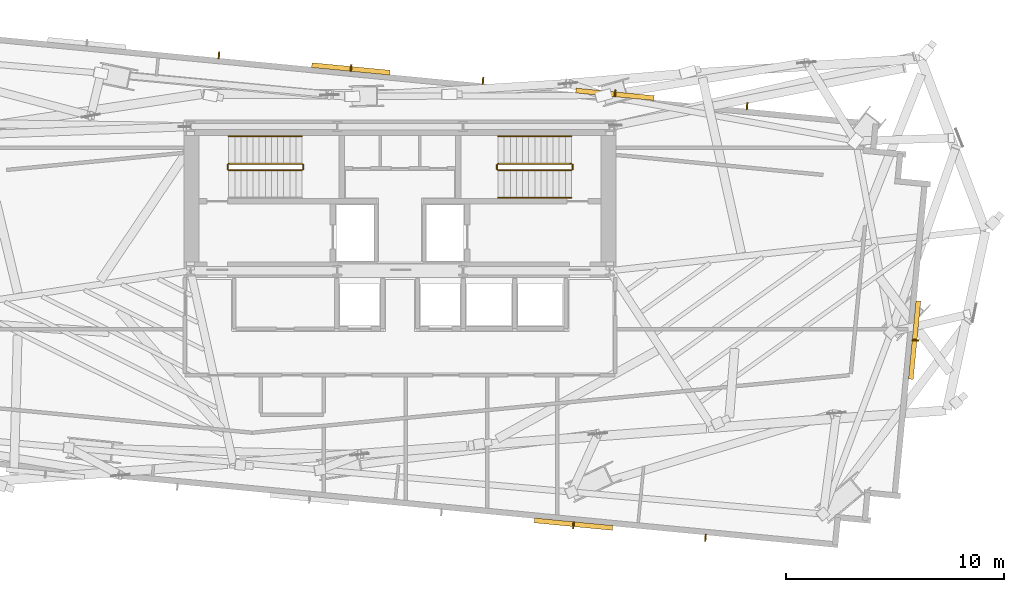
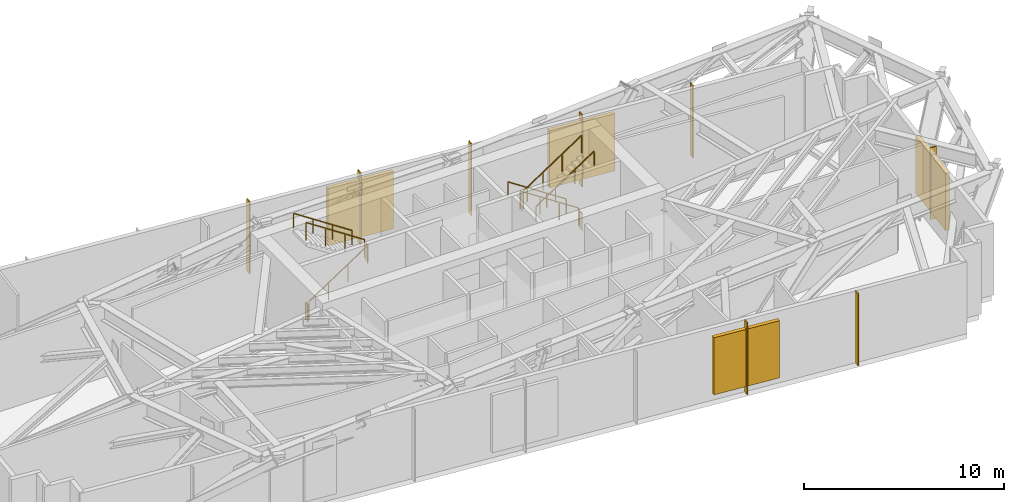
# One storey, part 10 of 10: 12 shading devices, 11 railings.
"""IFC4 building model written with IfcOpenShell, lengths in metres."""

from ifc_helpers import new_model, si_unit, direction, frame, origin, origin_2d, place, context, subcontext, project, spatial, rectangle, extrude, source, transform, mapped, material, type_object, type_shapes, element, save


model = new_model("IFC4")

# Units and contexts
model_context = context("Model", 3, precision=1e-05, world=origin(), true_north=direction((0.0, 1.0)))
body_context = subcontext(model_context, "Body", "Model", "MODEL_VIEW")
ifc_project = project(units=[si_unit("LENGTHUNIT", "METRE"), si_unit("AREAUNIT", "SQUARE_METRE"), si_unit("VOLUMEUNIT", "CUBIC_METRE"), si_unit("PLANEANGLEUNIT", "RADIAN"), si_unit("MASSUNIT", "GRAM", prefix="KILO")], contexts=[model_context])

# Site, building, storey
site_placement = place(None, origin())
site = spatial("IfcSite", under=ifc_project, at=site_placement, CompositionType="ELEMENT")
building_placement = place(site_placement, origin())
building = spatial("IfcBuilding", under=site, at=building_placement, Name="Astriad Promenade Condominiums", CompositionType="ELEMENT")
storey_placement = place(building_placement, frame((0.0, 0.0, 163.0)))
storey = spatial("IfcBuildingStorey", under=building, at=storey_placement, Name="L47", CompositionType="ELEMENT", Elevation=163.0)

# Shading devices
ifc_material_1 = material(Name="Anodised aluminium 6063-T6 Black Louvre", Category="aluminium")
shading_device_type_1 = type_object("IfcShadingDeviceType", Name="LOUVRE-ACOUSTIC-220", PredefinedType="JALOUSIE", material=ifc_material_1)
shared_shape_1 = source(origin(), body_context, "Body", "SweptSolid", [
    extrude(rectangle(XDim=3.60009765625, YDim=0.219970703125, at=origin_2d()), origin(), (0.0, 0.0, 1.0), 3.47998046875),
])
type_shapes(shading_device_type_1, [shared_shape_1])
for number, where, z_axis, x_axis, name in (
    (1, (33.747802734375, 26.644287109375, 0.449951171875), (0.0, 0.0, 1.0), (0.995396198367, -0.09584575252, 0.0), "LVR-L47-N-2"),
    (2, (45.841796875, 25.47998046875, 0.449951171875), (0.0, 0.0, 1.0), (0.995396198367, -0.09584575252, 0.0), "LVR-L47-N-3"),
    (3, (59.566162109375, 14.22265625, 0.449951171875), (0.0, 0.0, 1.0), (-0.09584575252, -0.995396198367, 0.0), "LVR-L47-E-1"),
    (4, (43.9462890625, 5.791015625, 0.449951171875), (0.0, 0.0, 1.0), (-0.995396198367, 0.09584575252, 0.0), "LVR-L47-S-1"),
):
    element("IfcShadingDevice", number, at=place(storey_placement, frame(where, z_axis=z_axis, x_axis=x_axis)), inside=storey, type_object=shading_device_type_1, Name=name, PredefinedType="JALOUSIE", context=body_context, shape_type="MappedRepresentation", body=[
        mapped(shared_shape_1, transform((0.0, 0.0, 0.0), scale=1.0)),
    ])
ifc_material_2 = material(Name="Anodised aluminium 6063-T6 Black Fin", Category="aluminium")
shading_device_type_2 = type_object("IfcShadingDeviceType", Name="FIN-BLACK-260", PredefinedType="USERDEFINED", material=ifc_material_2)
shared_shape_2 = source(origin(), body_context, "Body", "SweptSolid", [
    extrude(rectangle(XDim=0.06494140625, YDim=0.320068359375, at=origin_2d()), origin(), (0.0, 0.0, 1.0), 4.3798828125),
])
type_shapes(shading_device_type_2, [shared_shape_2])
for number, where, z_axis, x_axis, name in (
    (5, (27.70458984375, 27.2666015625, 0.0), (0.0, 0.0, 1.0), (0.995396198367, -0.09584575252, 0.0), "FIN-PLT-L47-N-03"),
    (6, (33.751708984375, 26.684326171875, 0.0), (0.0, 0.0, 1.0), (0.995396198367, -0.09584575252, 0.0), "FIN-PLT-L47-N-04"),
    (7, (39.798583984375, 26.10205078125, 0.0), (0.0, 0.0, 1.0), (0.995396198367, -0.09584575252, 0.0), "FIN-PLT-L47-N-05"),
    (8, (45.845703125, 25.519775390625, 0.0), (0.0, 0.0, 1.0), (0.995396198367, -0.09584575252, 0.0), "FIN-PLT-L47-N-06"),
    (9, (51.892822265625, 24.9375, 0.0), (0.0, 0.0, 1.0), (0.995396198367, -0.09584575252, 0.0), "FIN-PLT-L47-N-07"),
    (10, (59.60595703125, 14.218994140625, 0.0), (0.0, 0.0, 1.0), (-0.09584575252, -0.995396198367, 0.0), "FIN-PLT-L47-E-01"),
    (11, (49.989501953125, 5.1689453125, 0.0), (0.0, 0.0, 1.0), (-0.995396198367, 0.09584575252, 0.0), "FIN-PLT-L47-S-01"),
    (12, (43.9423828125, 5.751220703125, 0.0), (0.0, 0.0, 1.0), (-0.995396198367, 0.09584575252, 0.0), "FIN-PLT-L47-S-02"),
):
    element("IfcShadingDevice", number, at=place(storey_placement, frame(where, z_axis=z_axis, x_axis=x_axis)), inside=storey, type_object=shading_device_type_2, Name=name, ObjectType="FIN", PredefinedType="USERDEFINED", context=body_context, shape_type="MappedRepresentation", body=[
        mapped(shared_shape_2, transform((0.0, 0.0, 0.0), scale=1.0)),
    ])

# Railings
ifc_material_3 = material(Name="Painted Galvanised Steel Guardrail", Category="steel")
railing_type_1 = type_object("IfcRailingType", Name="GRD-STAIR-1100", PredefinedType="GUARDRAIL", material=ifc_material_3)
shared_shape_3 = source(origin(), body_context, "Body", "SweptSolid", [
    extrude(rectangle(XDim=0.048095703125, YDim=0.048095703125, at=origin_2d()), frame((0.0, 0.0, 1.076171875), z_axis=(0.0, 1.0, 0.0), x_axis=(-1.0, 0.0, 0.0)), (0.0, 0.0, 1.0), 0.199951171875),
    extrude(rectangle(XDim=0.0419921875, YDim=0.0419921875, at=origin_2d()), origin(), (0.0, 0.0, 1.0), 1.052001953125),
    extrude(rectangle(XDim=0.0419921875, YDim=0.0419921875, at=origin_2d()), frame((0.0, 0.199951171875, 0.0)), (0.0, 0.0, 1.0), 1.052001953125),
])
for number, where, name in (
    (13, (31.56005859375, 22.050048828125, 2.39990234375), "L47 ST-1 stair guard 2"),
    (14, (28.10009765625, 22.050048828125, 0.0), "L47 ST-1 stair guard 4"),
):
    element("IfcRailing", number, at=place(storey_placement, frame(where)), inside=storey, type_object=railing_type_1, Name=name, PredefinedType="GUARDRAIL", context=body_context, shape_type="MappedRepresentation", body=[
        mapped(shared_shape_3, transform((0.0, 0.0, 0.0), scale=1.0)),
    ])
shared_shape_4 = source(origin(), body_context, "Body", "SweptSolid", [
    extrude(rectangle(XDim=0.048095703125, YDim=0.048095703125, at=origin_2d()), frame((0.0, 0.0, 1.076171875), z_axis=(0.834876476806, 0.0, 0.550437342915), x_axis=(0.0, 1.0, 0.0)), (0.0, 0.0, 1.0), 4.024658203125),
    extrude(rectangle(XDim=0.0419921875, YDim=0.0419921875, at=origin_2d()), origin(), (0.0, 0.0, 1.0), 1.052001953125),
    extrude(rectangle(XDim=0.0419921875, YDim=0.0419921875, at=origin_2d()), frame((1.1201171875, 0.0, 0.738525390625)), (0.0, 0.0, 1.0), 1.052001953125),
    extrude(rectangle(XDim=0.0419921875, YDim=0.0419921875, at=origin_2d()), frame((2.239990234375, 0.0, 1.476806640625)), (0.0, 0.0, 1.0), 1.052001953125),
    extrude(rectangle(XDim=0.0419921875, YDim=0.0419921875, at=origin_2d()), frame((3.360107421875, 0.0, 2.21533203125)), (0.0, 0.0, 1.0), 1.052001953125),
])
for number, where, name in (
    (15, (28.14990234375, 22.0, 0.1845703125), "L47 ST-1 stair guard 1"),
    (16, (40.489990234375, 22.0, 2.584716796875), "L47 ST-2 stair guard 3"),
):
    element("IfcRailing", number, at=place(storey_placement, frame(where)), inside=storey, type_object=railing_type_1, Name=name, PredefinedType="GUARDRAIL", context=body_context, shape_type="MappedRepresentation", body=[
        mapped(shared_shape_4, transform((0.0, 0.0, 0.0), scale=1.0)),
    ])
ifc_material_4 = material(Name="Brushed Stainless Steel Handrail", Category="steel")
railing_type_2 = type_object("IfcRailingType", Name="HRL-STAIR-920", PredefinedType="HANDRAIL", material=ifc_material_4)
shared_shape_5 = source(origin(), body_context, "Body", "SweptSolid", [
    extrude(rectangle(XDim=0.048095703125, YDim=0.048095703125, at=origin_2d()), frame((0.0, 0.0, 0.8759765625), z_axis=(0.834876476806, 0.0, 0.550437342915), x_axis=(0.0, 1.0, 0.0)), (0.0, 0.0, 1.0), 4.024658203125),
    extrude(rectangle(XDim=0.0419921875, YDim=0.0419921875, at=origin_2d()), origin(), (0.0, 0.0, 1.0), 0.851806640625),
    extrude(rectangle(XDim=0.0419921875, YDim=0.0419921875, at=origin_2d()), frame((1.1201171875, 0.0, 0.738525390625)), (0.0, 0.0, 1.0), 0.851806640625),
    extrude(rectangle(XDim=0.0419921875, YDim=0.0419921875, at=origin_2d()), frame((2.239990234375, 0.0, 1.476806640625)), (0.0, 0.0, 1.0), 0.851806640625),
    extrude(rectangle(XDim=0.0419921875, YDim=0.0419921875, at=origin_2d()), frame((3.360107421875, 0.0, 2.21533203125)), (0.0, 0.0, 1.0), 0.851806640625),
])
railing_placement = place(storey_placement, frame((40.489990234375, 20.75, 2.584716796875)))
element("IfcRailing", 17, at=railing_placement, inside=storey, type_object=railing_type_2, Name="L47 ST-2 stair handrail 2", PredefinedType="HANDRAIL", context=body_context, shape_type="MappedRepresentation", body=[
    mapped(shared_shape_5, transform((0.0, 0.0, 0.0), scale=1.0)),
])
shared_shape_6 = source(origin(), body_context, "Body", "SweptSolid", [
    extrude(rectangle(XDim=0.048095703125, YDim=0.048095703125, at=origin_2d()), frame((0.0, 0.0, 1.076171875), z_axis=(-0.834876476806, 0.0, 0.550437342915), x_axis=(0.0, -1.0, 0.0)), (0.0, 0.0, 1.0), 4.024658203125),
    extrude(rectangle(XDim=0.0419921875, YDim=0.0419921875, at=origin_2d()), origin(), (0.0, 0.0, 1.0), 1.052001953125),
    extrude(rectangle(XDim=0.0419921875, YDim=0.0419921875, at=origin_2d()), frame((-1.1201171875, 0.0, 0.738525390625)), (0.0, 0.0, 1.0), 1.052001953125),
    extrude(rectangle(XDim=0.0419921875, YDim=0.0419921875, at=origin_2d()), frame((-2.239990234375, 0.0, 1.476806640625)), (0.0, 0.0, 1.0), 1.052001953125),
    extrude(rectangle(XDim=0.0419921875, YDim=0.0419921875, at=origin_2d()), frame((-3.360107421875, 0.0, 2.21533203125)), (0.0, 0.0, 1.0), 1.052001953125),
])
for number, where, name in (
    (18, (31.510009765625, 22.300048828125, 2.584716796875), "L47 ST-1 stair guard 3"),
    (19, (43.85009765625, 22.300048828125, 0.1845703125), "L47 ST-2 stair guard 1"),
):
    element("IfcRailing", number, at=place(storey_placement, frame(where)), inside=storey, type_object=railing_type_1, Name=name, PredefinedType="GUARDRAIL", context=body_context, shape_type="MappedRepresentation", body=[
        mapped(shared_shape_6, transform((0.0, 0.0, 0.0), scale=1.0)),
    ])
shared_shape_7 = source(origin(), body_context, "Body", "SweptSolid", [
    extrude(rectangle(XDim=0.048095703125, YDim=0.048095703125, at=origin_2d()), frame((0.0, 0.0, 0.8759765625), z_axis=(-0.834876476806, 0.0, 0.550437342915), x_axis=(0.0, -1.0, 0.0)), (0.0, 0.0, 1.0), 4.024658203125),
    extrude(rectangle(XDim=0.0419921875, YDim=0.0419921875, at=origin_2d()), origin(), (0.0, 0.0, 1.0), 0.851806640625),
    extrude(rectangle(XDim=0.0419921875, YDim=0.0419921875, at=origin_2d()), frame((-1.1201171875, 0.0, 0.738525390625)), (0.0, 0.0, 1.0), 0.851806640625),
    extrude(rectangle(XDim=0.0419921875, YDim=0.0419921875, at=origin_2d()), frame((-2.239990234375, 0.0, 1.476806640625)), (0.0, 0.0, 1.0), 0.851806640625),
    extrude(rectangle(XDim=0.0419921875, YDim=0.0419921875, at=origin_2d()), frame((-3.360107421875, 0.0, 2.21533203125)), (0.0, 0.0, 1.0), 0.851806640625),
])
type_shapes(railing_type_2, [shared_shape_5, shared_shape_7])
for number, where, name in (
    (20, (31.510009765625, 23.550048828125, 2.584716796875), "L47 ST-1 stair handrail 2"),
    (21, (43.85009765625, 23.550048828125, 0.1845703125), "L47 ST-2 stair handrail 1"),
):
    element("IfcRailing", number, at=place(storey_placement, frame(where)), inside=storey, type_object=railing_type_2, Name=name, PredefinedType="HANDRAIL", context=body_context, shape_type="MappedRepresentation", body=[
        mapped(shared_shape_7, transform((0.0, 0.0, 0.0), scale=1.0)),
    ])
shared_shape_8 = source(origin(), body_context, "Body", "SweptSolid", [
    extrude(rectangle(XDim=0.048095703125, YDim=0.048095703125, at=origin_2d()), frame((0.0, 0.0, 1.076171875), z_axis=(0.0, -1.0, 0.0), x_axis=(1.0, 0.0, 0.0)), (0.0, 0.0, 1.0), 0.199951171875),
    extrude(rectangle(XDim=0.0419921875, YDim=0.0419921875, at=origin_2d()), origin(), (0.0, 0.0, 1.0), 1.052001953125),
    extrude(rectangle(XDim=0.0419921875, YDim=0.0419921875, at=origin_2d()), frame((0.0, -0.199951171875, 0.0)), (0.0, 0.0, 1.0), 1.052001953125),
])
type_shapes(railing_type_1, [shared_shape_3, shared_shape_4, shared_shape_6, shared_shape_8])
for number, where, name in (
    (22, (40.43994140625, 22.25, 2.39990234375), "L47 ST-2 stair guard 2"),
    (23, (43.89990234375, 22.25, 0.0), "L47 ST-2 stair guard 4"),
):
    element("IfcRailing", number, at=place(storey_placement, frame(where)), inside=storey, type_object=railing_type_1, Name=name, PredefinedType="GUARDRAIL", context=body_context, shape_type="MappedRepresentation", body=[
        mapped(shared_shape_8, transform((0.0, 0.0, 0.0), scale=1.0)),
    ])

save(model, "model.ifc")
